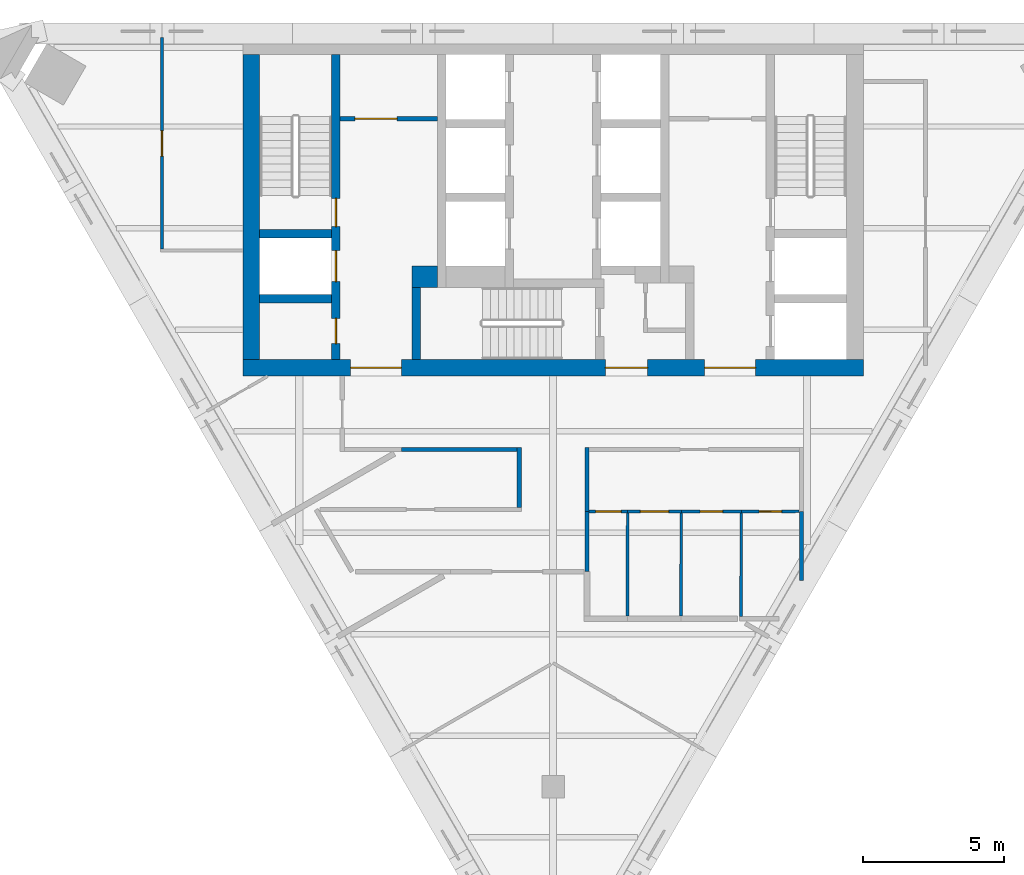
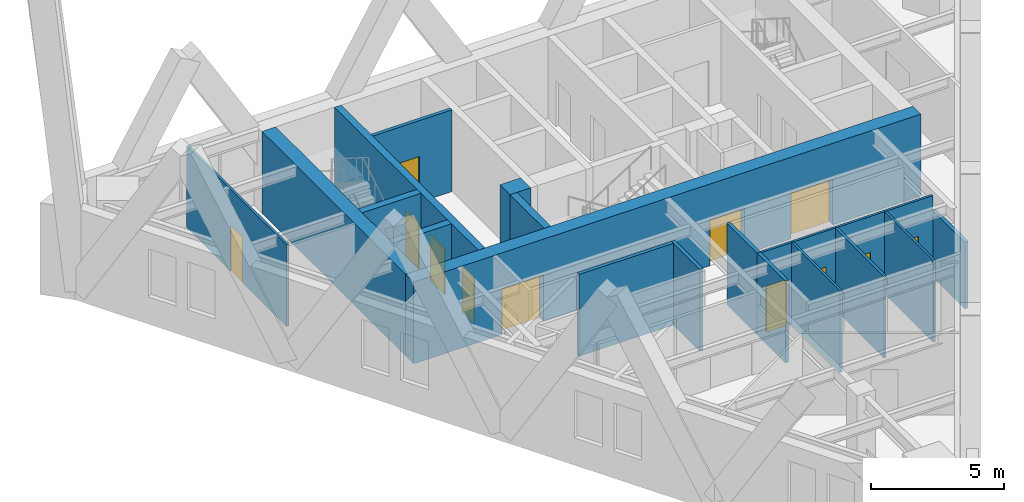
# One storey, part 3 of 6: 21 walls, 12 doors, 12 openings.
"""IFC4 building model written with IfcOpenShell, lengths in metres."""

from ifc_helpers import new_model, si_unit, direction, frame, frame_2d, origin, place, context, subcontext, project, spatial, rectangle, extrude, material, layer, layer_set, type_object, element, fill, save


model = new_model("IFC4")

# Units and contexts
model_context = context("Model", 3, precision=1e-05, world=origin(), true_north=direction((0.0, 1.0)))
body_context = subcontext(model_context, "Body", "Model", "MODEL_VIEW")
ifc_project = project(units=[si_unit("LENGTHUNIT", "METRE"), si_unit("AREAUNIT", "SQUARE_METRE"), si_unit("VOLUMEUNIT", "CUBIC_METRE"), si_unit("PLANEANGLEUNIT", "RADIAN"), si_unit("MASSUNIT", "GRAM", prefix="KILO")], contexts=[model_context])

# Site, building, storey
site_placement = place(None, origin())
site = spatial("IfcSite", under=ifc_project, at=site_placement, CompositionType="ELEMENT")
building_placement = place(site_placement, origin())
building = spatial("IfcBuilding", under=site, at=building_placement, Name="Aloe Facet Convention Tower", CompositionType="ELEMENT")
storey_placement = place(building_placement, frame((0.0, 0.0, 238.699951171875)))
storey = spatial("IfcBuildingStorey", under=building, at=storey_placement, Name="L58", CompositionType="ELEMENT", Elevation=238.699951171875)

# Wall, opening, door
ifc_material_1 = material(Name="Concrete blockwork partition", Category="masonry")
ifc_layer_1 = layer(ifc_material_1, 0.14990234375)
ifc_layer_set_1 = layer_set([ifc_layer_1], Name="CR-W-PART150")
wall_type_1 = type_object("IfcWallType", Name="CR-W-PART150", PredefinedType="PARTITIONING", material=ifc_layer_set_1)
wall_1_placement = place(storey_placement, frame((72.449951171875, 131.675048828125, 0.0), z_axis=(0.0, 0.0, 1.0), x_axis=(1.0, 0.0, 0.0)))
wall_1 = element("IfcWall", 1, at=wall_1_placement, inside=storey, type_object=wall_type_1, Name="Core partition L58-007", PredefinedType="PARTITIONING", context=body_context, shape_type="SweptSolid", body=[
    extrude(rectangle(XDim=3.449951171875, YDim=0.14990234375, at=frame_2d((1.72509765625, 0.0))), origin(), (0.0, 0.0, 1.0), 3.75),
])
opening_1_placement = place(wall_1_placement, frame((0.52490234375, 0.0, 0.0)))
opening_1 = element("IfcOpeningElement", 2, at=opening_1_placement, cuts=wall_1, Name="Opening L58-CD14", PredefinedType="OPENING", context=body_context, shape_type="SweptSolid", body=[
    extrude(rectangle(XDim=1.5, YDim=2.10009765625, at=frame_2d((0.75, 1.050048828125))), frame((0.0, 0.0849609375, 0.0), z_axis=(0.0, -1.0, 0.0), x_axis=(1.0, 0.0, 0.0)), (0.0, 0.0, 1.0), 0.169921875),
])
ifc_material_2 = material(Name="Steel fire-resisting door set FD60", Category="steel")
door_type_1 = type_object("IfcDoorType", Name="CR-D-REFUGE-1500-FD60-DD", OperationType="DOUBLE_DOOR_DOUBLE_SWING", PredefinedType="DOOR", material=ifc_material_2)
door_1_placement = place(opening_1_placement, origin())
door_1 = element("IfcDoor", 3, at=door_1_placement, inside=storey, type_object=door_type_1, Name="Core door L58-CD14", OperationType="DOUBLE_DOOR_DOUBLE_SWING", OverallHeight=2.10009765625, OverallWidth=1.5, PredefinedType="DOOR", context=body_context, shape_type="SweptSolid", body=[
    extrude(rectangle(XDim=1.5, YDim=2.10009765625, at=frame_2d((0.75, 1.050048828125))), frame((0.0, 0.02490234375, 0.0), z_axis=(0.0, -1.0, 0.0), x_axis=(1.0, 0.0, 0.0)), (0.0, 0.0, 1.0), 0.050048828125),
])
fill(opening_1, door_1)

# Walls
ifc_material_3 = material(Name="Concrete C50/60", Category="concrete")
ifc_layer_2 = layer(ifc_material_3, 0.300048828125)
ifc_layer_set_2 = layer_set([ifc_layer_2], Name="CR-W-RC300-C5060")
wall_type_2 = type_object("IfcWallType", Name="CR-W-RC300-C5060", PredefinedType="SOLIDWALL", material=ifc_layer_set_2)
for number, where, z_axis, x_axis, name in (
    (4, (69.60009765625, 127.60009765625, 0.0), (0.0, 0.0, 1.0), (1.0, 0.0, 0.0), "Core wall L58-004"),
    (5, (69.60009765625, 125.300048828125, 0.0), (0.0, 0.0, 1.0), (1.0, 0.0, 0.0), "Core wall L58-005"),
):
    element("IfcWall", number, at=place(storey_placement, frame(where, z_axis=z_axis, x_axis=x_axis)), inside=storey, type_object=wall_type_2, Name=name, PredefinedType="SOLIDWALL", context=body_context, shape_type="SweptSolid", body=[
        extrude(rectangle(XDim=2.5498046875, YDim=0.300048828125, at=frame_2d((1.27490234375, 0.0))), origin(), (0.0, 0.0, 1.0), 3.75),
    ])

# Wall, openings, doors
wall_2_placement = place(storey_placement, frame((72.300048828125, 133.949951171875, 0.0), z_axis=(0.0, 0.0, 1.0), x_axis=(0.0, -1.0, 0.0)))
wall_2 = element("IfcWall", 6, at=wall_2_placement, inside=storey, type_object=wall_type_2, Name="Core wall L58-006", PredefinedType="SOLIDWALL", context=body_context, shape_type="SweptSolid", body=[
    extrude(rectangle(XDim=10.800048828125, YDim=0.300048828125, at=frame_2d((5.39990234375, 0.0))), origin(), (0.0, 0.0, 1.0), 3.75),
])
opening_2_placement = place(wall_2_placement, frame((6.949951171875, 0.0, 0.0)))
opening_2 = element("IfcOpeningElement", 7, at=opening_2_placement, cuts=wall_2, Name="Opening LD-FF1-L58", PredefinedType="OPENING", context=body_context, shape_type="SweptSolid", body=[
    extrude(rectangle(XDim=1.10009765625, YDim=2.10009765625, at=frame_2d((0.550048828125, 1.050048828125))), frame((0.0, 0.16015625, 0.0), z_axis=(0.0, -1.0, 0.0), x_axis=(1.0, 0.0, 0.0)), (0.0, 0.0, 1.0), 0.320068359375),
])
opening_3_placement = place(wall_2_placement, frame((9.35009765625, 0.0, 0.0)))
opening_3 = element("IfcOpeningElement", 8, at=opening_3_placement, cuts=wall_2, Name="Opening L58-CD15", PredefinedType="OPENING", context=body_context, shape_type="SweptSolid", body=[
    extrude(rectangle(XDim=0.89990234375, YDim=2.10009765625, at=frame_2d((0.449951171875, 1.050048828125))), frame((0.0, 0.16015625, 0.0), z_axis=(0.0, -1.0, 0.0), x_axis=(1.0, 0.0, 0.0)), (0.0, 0.0, 1.0), 0.320068359375),
])
opening_4_placement = place(wall_2_placement, frame((5.10009765625, 0.0, 0.0)))
opening_4 = element("IfcOpeningElement", 9, at=opening_4_placement, cuts=wall_2, Name="Opening L58-CD16", PredefinedType="OPENING", context=body_context, shape_type="SweptSolid", body=[
    extrude(rectangle(XDim=1.0, YDim=2.10009765625, at=frame_2d((0.5, 1.050048828125))), frame((0.0, 0.16015625, 0.0), z_axis=(0.0, -1.0, 0.0), x_axis=(1.0, 0.0, 0.0)), (0.0, 0.0, 1.0), 0.320068359375),
])
ifc_material_4 = material(Name="Steel fire-resisting door set FD60", Category="steel")
door_type_2 = type_object("IfcDoorType", Name="CR-D-ROOM-900-FD60-SLEFT", OperationType="SINGLE_SWING_LEFT", PredefinedType="DOOR", material=ifc_material_4)
door_2_placement = place(opening_3_placement, origin())
door_2 = element("IfcDoor", 10, at=door_2_placement, inside=storey, type_object=door_type_2, Name="Core door L58-CD15", OperationType="SINGLE_SWING_LEFT", OverallHeight=2.10009765625, OverallWidth=0.89990234375, PredefinedType="DOOR", context=body_context, shape_type="SweptSolid", body=[
    extrude(rectangle(XDim=0.89990234375, YDim=2.10009765625, at=frame_2d((0.449951171875, 1.050048828125))), frame((0.0, 0.02490234375, 0.0), z_axis=(0.0, -1.0, 0.0), x_axis=(1.0, 0.0, 0.0)), (0.0, 0.0, 1.0), 0.050048828125),
])
fill(opening_3, door_2)
ifc_material_5 = material(Name="Steel fire-resisting door set FD120", Category="steel")
door_type_3 = type_object("IfcDoorType", Name="CR-D-STAIR-1000-FD120-SRIGHT", OperationType="SINGLE_SWING_RIGHT", PredefinedType="DOOR", material=ifc_material_5)
door_3_placement = place(opening_4_placement, origin())
door_3 = element("IfcDoor", 11, at=door_3_placement, inside=storey, type_object=door_type_3, Name="Core door L58-CD16", OperationType="SINGLE_SWING_RIGHT", OverallHeight=2.10009765625, OverallWidth=1.0, PredefinedType="DOOR", context=body_context, shape_type="SweptSolid", body=[
    extrude(rectangle(XDim=1.0, YDim=2.10009765625, at=frame_2d((0.5, 1.050048828125))), frame((0.0, 0.02490234375, 0.0), z_axis=(0.0, -1.0, 0.0), x_axis=(1.0, 0.0, 0.0)), (0.0, 0.0, 1.0), 0.050048828125),
])
fill(opening_4, door_3)
ifc_material_6 = material(Name="Stainless steel sliding landing door", Category="steel")
door_type_4 = type_object("IfcDoorType", Name="CR-LD-1100-FD120-_LEFT", OperationType="SLIDING_TO_LEFT", PredefinedType="DOOR", material=ifc_material_6)
door_4_placement = place(opening_2_placement, origin())
door_4 = element("IfcDoor", 12, at=door_4_placement, inside=storey, type_object=door_type_4, Name="Landing door FF1 L58", OperationType="SLIDING_TO_LEFT", OverallHeight=2.10009765625, OverallWidth=1.10009765625, PredefinedType="DOOR", context=body_context, shape_type="SweptSolid", body=[
    extrude(rectangle(XDim=1.10009765625, YDim=2.10009765625, at=frame_2d((0.550048828125, 1.050048828125))), frame((0.0, 0.02490234375, 0.0), z_axis=(0.0, -1.0, 0.0), x_axis=(1.0, 0.0, 0.0)), (0.0, 0.0, 1.0), 0.050048828125),
])
fill(opening_2, door_4)

# Walls
wall_3_placement = place(storey_placement, frame((75.14990234375, 125.699951171875, 0.0), z_axis=(0.0, 0.0, 1.0), x_axis=(0.0, -1.0, 0.0)))
element("IfcWall", 13, at=wall_3_placement, inside=storey, type_object=wall_type_2, Name="Core wall L58-009", PredefinedType="SOLIDWALL", context=body_context, shape_type="SweptSolid", body=[
    extrude(rectangle(XDim=2.550048828125, YDim=0.300048828125, at=frame_2d((1.27490234375, 0.0))), origin(), (0.0, 0.0, 1.0), 3.75),
])
ifc_material_7 = material(Name="Concrete C50/60", Category="concrete")
ifc_layer_3 = layer(ifc_material_7, 0.60009765625)
ifc_layer_set_3 = layer_set([ifc_layer_3], Name="CR-W-RC600-C5060")
wall_type_3 = type_object("IfcWallType", Name="CR-W-RC600-C5060", PredefinedType="SOLIDWALL", material=ifc_layer_set_3)
wall_4_placement = place(storey_placement, frame((69.300048828125, 133.949951171875, 0.0), z_axis=(0.0, 0.0, 1.0), x_axis=(0.0, -1.0, 0.0)))
element("IfcWall", 14, at=wall_4_placement, inside=storey, type_object=wall_type_3, Name="Core wall L58-002", PredefinedType="SOLIDWALL", context=body_context, shape_type="SweptSolid", body=[
    extrude(rectangle(XDim=10.800048828125, YDim=0.60009765625, at=frame_2d((5.39990234375, 0.0))), origin(), (0.0, 0.0, 1.0), 3.75),
])

# Wall, openings, doors
wall_5_placement = place(storey_placement, frame((69.0, 122.85009765625, 0.0), z_axis=(0.0, 0.0, 1.0), x_axis=(1.0, 0.0, 0.0)))
wall_5 = element("IfcWall", 15, at=wall_5_placement, inside=storey, type_object=wall_type_3, Name="Core wall L58-003", PredefinedType="SOLIDWALL", context=body_context, shape_type="SweptSolid", body=[
    extrude(rectangle(XDim=22.0, YDim=0.60009765625, at=frame_2d((11.0, 0.0))), origin(), (0.0, 0.0, 1.0), 3.75),
])
opening_5_placement = place(wall_5_placement, frame((16.375, 0.0, 0.0)))
opening_5 = element("IfcOpeningElement", 16, at=opening_5_placement, cuts=wall_5, Name="Opening L58-CD09", PredefinedType="OPENING", context=body_context, shape_type="SweptSolid", body=[
    extrude(rectangle(XDim=1.800048828125, YDim=2.10009765625, at=frame_2d((0.89990234375, 1.050048828125))), frame((0.0, 0.31005859375, 0.0), z_axis=(0.0, -1.0, 0.0), x_axis=(1.0, 0.0, 0.0)), (0.0, 0.0, 1.0), 0.6201171875),
])
opening_6_placement = place(wall_5_placement, frame((3.824951171875, 0.0, 0.0)))
opening_6 = element("IfcOpeningElement", 17, at=opening_6_placement, cuts=wall_5, Name="Opening L58-CD10", PredefinedType="OPENING", context=body_context, shape_type="SweptSolid", body=[
    extrude(rectangle(XDim=1.800048828125, YDim=2.10009765625, at=frame_2d((0.89990234375, 1.050048828125))), frame((0.0, 0.31005859375, 0.0), z_axis=(0.0, -1.0, 0.0), x_axis=(1.0, 0.0, 0.0)), (0.0, 0.0, 1.0), 0.6201171875),
])
opening_7_placement = place(wall_5_placement, frame((12.85009765625, 0.0, 0.0)))
opening_7 = element("IfcOpeningElement", 18, at=opening_7_placement, cuts=wall_5, Name="Opening L58-CD11", PredefinedType="OPENING", context=body_context, shape_type="SweptSolid", body=[
    extrude(rectangle(XDim=1.5, YDim=2.10009765625, at=frame_2d((0.75, 1.050048828125))), frame((0.0, 0.31005859375, 0.0), z_axis=(0.0, -1.0, 0.0), x_axis=(1.0, 0.0, 0.0)), (0.0, 0.0, 1.0), 0.6201171875),
])
ifc_material_8 = material(Name="Steel fire-resisting door set FD60", Category="steel")
door_type_5 = type_object("IfcDoorType", Name="CR-D-EXIT-1500-FD60-DD", OperationType="DOUBLE_DOOR_DOUBLE_SWING", PredefinedType="DOOR", material=ifc_material_8)
door_5_placement = place(opening_7_placement, origin())
door_5 = element("IfcDoor", 19, at=door_5_placement, inside=storey, type_object=door_type_5, Name="Core door L58-CD11", OperationType="DOUBLE_DOOR_DOUBLE_SWING", OverallHeight=2.10009765625, OverallWidth=1.5, PredefinedType="DOOR", context=body_context, shape_type="SweptSolid", body=[
    extrude(rectangle(XDim=1.5, YDim=2.10009765625, at=frame_2d((0.75, 1.050048828125))), frame((0.0, 0.02490234375, 0.0), z_axis=(0.0, -1.0, 0.0), x_axis=(1.0, 0.0, 0.0)), (0.0, 0.0, 1.0), 0.050048828125),
])
fill(opening_7, door_5)
ifc_material_9 = material(Name="Steel fire-resisting door set FD120", Category="steel")
door_type_6 = type_object("IfcDoorType", Name="CR-D-EXIT-1800-FD120-DD", OperationType="DOUBLE_DOOR_DOUBLE_SWING", PredefinedType="DOOR", material=ifc_material_9)
door_6_placement = place(opening_5_placement, origin())
door_6 = element("IfcDoor", 20, at=door_6_placement, inside=storey, type_object=door_type_6, Name="Core door L58-CD09", OperationType="DOUBLE_DOOR_DOUBLE_SWING", OverallHeight=2.10009765625, OverallWidth=1.800048828125, PredefinedType="DOOR", context=body_context, shape_type="SweptSolid", body=[
    extrude(rectangle(XDim=1.800048828125, YDim=2.10009765625, at=frame_2d((0.89990234375, 1.050048828125))), frame((0.0, 0.02490234375, 0.0), z_axis=(0.0, -1.0, 0.0), x_axis=(1.0, 0.0, 0.0)), (0.0, 0.0, 1.0), 0.050048828125),
])
fill(opening_5, door_6)
door_7_placement = place(opening_6_placement, origin())
door_7 = element("IfcDoor", 21, at=door_7_placement, inside=storey, type_object=door_type_6, Name="Core door L58-CD10", OperationType="DOUBLE_DOOR_DOUBLE_SWING", OverallHeight=2.10009765625, OverallWidth=1.800048828125, PredefinedType="DOOR", context=body_context, shape_type="SweptSolid", body=[
    extrude(rectangle(XDim=1.800048828125, YDim=2.10009765625, at=frame_2d((0.89990234375, 1.050048828125))), frame((0.0, 0.02490234375, 0.0), z_axis=(0.0, -1.0, 0.0), x_axis=(1.0, 0.0, 0.0)), (0.0, 0.0, 1.0), 0.050048828125),
])
fill(opening_6, door_7)

# Walls
ifc_material_10 = material(Name="Concrete C50/60", Category="concrete")
ifc_layer_4 = layer(ifc_material_10, 0.75)
ifc_layer_set_4 = layer_set([ifc_layer_4], Name="CR-W-RC750-C5060")
wall_type_4 = type_object("IfcWallType", Name="CR-W-RC750-C5060", PredefinedType="SOLIDWALL", material=ifc_layer_set_4)
wall_6_placement = place(storey_placement, frame((75.0, 126.074951171875, 0.0), z_axis=(0.0, 0.0, 1.0), x_axis=(1.0, 0.0, 0.0)))
element("IfcWall", 22, at=wall_6_placement, inside=storey, type_object=wall_type_4, Name="Core wall L58-008", PredefinedType="SOLIDWALL", context=body_context, shape_type="SweptSolid", body=[
    extrude(rectangle(XDim=0.89990234375, YDim=0.75, at=frame_2d((0.449951171875, 0.0))), origin(), (0.0, 0.0, 1.0), 3.75),
])
ifc_material_11 = material(Name="Gypsum board partition on steel studs", Category="steel")
ifc_layer_5 = layer(ifc_material_11, 0.14990234375)
ifc_layer_set_5 = layer_set([ifc_layer_5], Name="IN-W-CORR")
wall_type_5 = type_object("IfcWallType", Name="IN-W-CORR", PredefinedType="PARTITIONING", material=ifc_layer_set_5)
wall_7_placement = place(storey_placement, frame((88.800048828125, 115.313232421875, 0.0), z_axis=(0.0, 0.0, 1.0), x_axis=(0.0, 1.0, 0.0)))
element("IfcWall", 23, at=wall_7_placement, inside=storey, type_object=wall_type_5, Name="Partition L58-W010", PredefinedType="PARTITIONING", context=body_context, shape_type="SweptSolid", body=[
    extrude(rectangle(XDim=2.44677734375, YDim=0.14990234375, at=frame_2d((1.223388671875, 0.0))), origin(), (0.0, 0.0, 1.0), 3.062255859375),
])
wall_8_placement = place(storey_placement, frame((81.199951171875, 115.620361328125, 0.0), z_axis=(0.0, 0.0, 1.0), x_axis=(0.0, 1.0, 0.0)))
element("IfcWall", 24, at=wall_8_placement, inside=storey, type_object=wall_type_5, Name="Partition L58-W024", PredefinedType="PARTITIONING", context=body_context, shape_type="SweptSolid", body=[
    extrude(rectangle(XDim=2.129638671875, YDim=0.14990234375, at=frame_2d((1.06494140625, 0.0))), origin(), (0.0, 0.0, 1.0), 3.75),
])
wall_9_placement = place(storey_placement, frame((78.798095703125, 117.895263671875, 0.0), z_axis=(0.0, 0.0, 1.0), x_axis=(0.000917957158, 0.999999578677, 0.0)))
element("IfcWall", 25, at=wall_9_placement, inside=storey, type_object=wall_type_5, Name="Partition L58-W026", PredefinedType="PARTITIONING", context=body_context, shape_type="SweptSolid", body=[
    extrude(rectangle(XDim=2.127685546875, YDim=0.14990234375, at=frame_2d((1.06396484375, 0.0))), origin(), (0.0, 0.0, 1.0), 3.75),
])
wall_10_placement = place(storey_placement, frame((81.199951171875, 117.75, 0.0), z_axis=(0.0, 0.0, 1.0), x_axis=(0.0, 1.0, 0.0)))
element("IfcWall", 26, at=wall_10_placement, inside=storey, type_object=wall_type_5, Name="Partition L58-W027", PredefinedType="PARTITIONING", context=body_context, shape_type="SweptSolid", body=[
    extrude(rectangle(XDim=2.27294921875, YDim=0.14990234375, at=frame_2d((1.136474609375, 0.0))), origin(), (0.0, 0.0, 1.0), 3.75),
])
wall_11_placement = place(storey_placement, frame((74.61865234375, 119.949951171875, 0.0), z_axis=(0.0, 0.0, 1.0), x_axis=(0.999999886891, -0.000475624203, 0.0)))
element("IfcWall", 27, at=wall_11_placement, inside=storey, type_object=wall_type_5, Name="Partition L58-W030", PredefinedType="PARTITIONING", context=body_context, shape_type="SweptSolid", body=[
    extrude(rectangle(XDim=4.1064453125, YDim=0.14990234375, at=frame_2d((2.05322265625, 0.0))), origin(), (0.0, 0.0, 1.0), 3.75),
])
ifc_material_12 = material(Name="Gypsum board partition on steel studs", Category="steel")
ifc_layer_6 = layer(ifc_material_12, 0.10009765625)
ifc_layer_set_6 = layer_set([ifc_layer_6], Name="IN-W-PART")
wall_type_6 = type_object("IfcWallType", Name="IN-W-PART", PredefinedType="PARTITIONING", material=ifc_layer_set_6)
wall_12_placement = place(storey_placement, frame((82.63427734375, 114.050048828125, 0.0), z_axis=(0.0, 0.0, 1.0), x_axis=(0.002608686776, 0.999996597371, 0.0)))
element("IfcWall", 28, at=wall_12_placement, inside=storey, type_object=wall_type_6, Name="Partition L58-W017", PredefinedType="PARTITIONING", context=body_context, shape_type="SweptSolid", body=[
    extrude(rectangle(XDim=3.64990234375, YDim=0.10009765625, at=frame_2d((1.824951171875, 0.0))), origin(), (0.0, 0.0, 1.0), 3.75),
])

# Wall, opening, door
wall_13_placement = place(storey_placement, frame((81.27490234375, 117.75, 0.0), z_axis=(0.0, 0.0, 1.0), x_axis=(1.0, 0.0, 0.0)))
wall_13 = element("IfcWall", 29, at=wall_13_placement, inside=storey, type_object=wall_type_6, Name="Partition L58-W018", PredefinedType="PARTITIONING", context=body_context, shape_type="SweptSolid", body=[
    extrude(rectangle(XDim=1.369140625, YDim=0.10009765625, at=frame_2d((0.6845703125, 0.0))), origin(), (0.0, 0.0, 1.0), 3.75),
])
opening_8_placement = place(wall_13_placement, frame((0.234619140625, 0.0, 0.0)))
opening_8 = element("IfcOpeningElement", 30, at=opening_8_placement, cuts=wall_13, Name="Opening L58-002", PredefinedType="OPENING", context=body_context, shape_type="SweptSolid", body=[
    extrude(rectangle(XDim=0.89990234375, YDim=2.10009765625, at=frame_2d((0.449951171875, 1.050048828125))), frame((0.0, 0.06005859375, 0.0), z_axis=(0.0, -1.0, 0.0), x_axis=(1.0, 0.0, 0.0)), (0.0, 0.0, 1.0), 0.1201171875),
])
ifc_material_13 = material(Name="Timber door", Category="wood")
door_type_7 = type_object("IfcDoorType", Name="IN-OFF-D-ROOM", OperationType="SINGLE_SWING_LEFT", PredefinedType="DOOR", material=ifc_material_13)
door_8_placement = place(opening_8_placement, origin())
door_8 = element("IfcDoor", 31, at=door_8_placement, inside=storey, type_object=door_type_7, Name="Door L58-002", OperationType="SINGLE_SWING_LEFT", OverallHeight=2.10009765625, OverallWidth=0.89990234375, PredefinedType="DOOR", context=body_context, shape_type="SweptSolid", body=[
    extrude(rectangle(XDim=0.89990234375, YDim=2.10009765625, at=frame_2d((0.449951171875, 1.050048828125))), frame((0.0, 0.02490234375, 0.0), z_axis=(0.0, -1.0, 0.0), x_axis=(1.0, 0.0, 0.0)), (0.0, 0.0, 1.0), 0.050048828125),
])
fill(opening_8, door_8)

# Wall
wall_14_placement = place(storey_placement, frame((84.5341796875, 114.050048828125, 0.0), z_axis=(0.0, 0.0, 1.0), x_axis=(0.002675575707, 0.999996420641, 0.0)))
element("IfcWall", 32, at=wall_14_placement, inside=storey, type_object=wall_type_6, Name="Partition L58-W019", PredefinedType="PARTITIONING", context=body_context, shape_type="SweptSolid", body=[
    extrude(rectangle(XDim=3.64990234375, YDim=0.10009765625, at=frame_2d((1.824951171875, 0.0))), origin(), (0.0, 0.0, 1.0), 3.75),
])

# Wall, opening, door
wall_15_placement = place(storey_placement, frame((82.64404296875, 117.75, 0.0), z_axis=(0.0, 0.0, 1.0), x_axis=(1.0, 0.0, 0.0)))
wall_15 = element("IfcWall", 33, at=wall_15_placement, inside=storey, type_object=wall_type_6, Name="Partition L58-W020", PredefinedType="PARTITIONING", context=body_context, shape_type="SweptSolid", body=[
    extrude(rectangle(XDim=1.89990234375, YDim=0.10009765625, at=frame_2d((0.949951171875, 0.0))), origin(), (0.0, 0.0, 1.0), 3.75),
])
opening_9_placement = place(wall_15_placement, frame((0.449951171875, 0.0, 0.0)))
opening_9 = element("IfcOpeningElement", 34, at=opening_9_placement, cuts=wall_15, Name="Opening L58-003", PredefinedType="OPENING", context=body_context, shape_type="SweptSolid", body=[
    extrude(rectangle(XDim=1.0, YDim=2.10009765625, at=frame_2d((0.5, 1.050048828125))), frame((0.0, 0.06005859375, 0.0), z_axis=(0.0, -1.0, 0.0), x_axis=(1.0, 0.0, 0.0)), (0.0, 0.0, 1.0), 0.1201171875),
])
ifc_material_14 = material(Name="Timber door", Category="wood")
door_type_8 = type_object("IfcDoorType", Name="IN-OFF-D-WIDE", OperationType="SINGLE_SWING_LEFT", PredefinedType="DOOR", material=ifc_material_14)
door_9_placement = place(opening_9_placement, origin())
door_9 = element("IfcDoor", 35, at=door_9_placement, inside=storey, type_object=door_type_8, Name="Door L58-003", OperationType="SINGLE_SWING_LEFT", OverallHeight=2.10009765625, OverallWidth=1.0, PredefinedType="DOOR", context=body_context, shape_type="SweptSolid", body=[
    extrude(rectangle(XDim=1.0, YDim=2.10009765625, at=frame_2d((0.5, 1.050048828125))), frame((0.0, 0.02490234375, 0.0), z_axis=(0.0, -1.0, 0.0), x_axis=(1.0, 0.0, 0.0)), (0.0, 0.0, 1.0), 0.050048828125),
])
fill(opening_9, door_9)

# Wall
wall_16_placement = place(storey_placement, frame((86.662109375, 114.02490234375, 0.0), z_axis=(0.0, 0.0, 1.0), x_axis=(0.002657268237, 0.999996469457, 0.0)))
element("IfcWall", 36, at=wall_16_placement, inside=storey, type_object=wall_type_6, Name="Partition L58-W021", PredefinedType="PARTITIONING", context=body_context, shape_type="SweptSolid", body=[
    extrude(rectangle(XDim=3.675048828125, YDim=0.10009765625, at=frame_2d((1.83740234375, 0.0))), origin(), (0.0, 0.0, 1.0), 3.75),
])

# Wall, opening, door
wall_17_placement = place(storey_placement, frame((84.5439453125, 117.75, 0.0), z_axis=(0.0, 0.0, 1.0), x_axis=(1.0, 0.0, 0.0)))
wall_17 = element("IfcWall", 37, at=wall_17_placement, inside=storey, type_object=wall_type_6, Name="Partition L58-W022", PredefinedType="PARTITIONING", context=body_context, shape_type="SweptSolid", body=[
    extrude(rectangle(XDim=2.128173828125, YDim=0.10009765625, at=frame_2d((1.06396484375, 0.0))), origin(), (0.0, 0.0, 1.0), 3.75),
])
opening_10_placement = place(wall_17_placement, frame((0.6640625, 0.0, 0.0)))
opening_10 = element("IfcOpeningElement", 38, at=opening_10_placement, cuts=wall_17, Name="Opening L58-004", PredefinedType="OPENING", context=body_context, shape_type="SweptSolid", body=[
    extrude(rectangle(XDim=0.800048828125, YDim=2.10009765625, at=frame_2d((0.39990234375, 1.050048828125))), frame((0.0, 0.06005859375, 0.0), z_axis=(0.0, -1.0, 0.0), x_axis=(1.0, 0.0, 0.0)), (0.0, 0.0, 1.0), 0.1201171875),
])
ifc_material_15 = material(Name="Timber door", Category="wood")
door_type_9 = type_object("IfcDoorType", Name="IN-OFF-D-WC", OperationType="SINGLE_SWING_LEFT", PredefinedType="DOOR", material=ifc_material_15)
door_10_placement = place(opening_10_placement, origin())
door_10 = element("IfcDoor", 39, at=door_10_placement, inside=storey, type_object=door_type_9, Name="Door L58-004", OperationType="SINGLE_SWING_LEFT", OverallHeight=2.10009765625, OverallWidth=0.800048828125, PredefinedType="DOOR", context=body_context, shape_type="SweptSolid", body=[
    extrude(rectangle(XDim=0.800048828125, YDim=2.10009765625, at=frame_2d((0.39990234375, 1.050048828125))), frame((0.0, 0.02490234375, 0.0), z_axis=(0.0, -1.0, 0.0), x_axis=(1.0, 0.0, 0.0)), (0.0, 0.0, 1.0), 0.050048828125),
])
fill(opening_10, door_10)

wall_18_placement = place(storey_placement, frame((86.672119140625, 117.75, 0.0), z_axis=(0.0, 0.0, 1.0), x_axis=(0.99998868658, 0.004756754366, 0.0)))
wall_18 = element("IfcWall", 40, at=wall_18_placement, inside=storey, type_object=wall_type_6, Name="Partition L58-W023", PredefinedType="PARTITIONING", context=body_context, shape_type="SweptSolid", body=[
    extrude(rectangle(XDim=2.052978515625, YDim=0.10009765625, at=frame_2d((1.0263671875, 0.0))), origin(), (0.0, 0.0, 1.0), 3.75),
])
opening_11_placement = place(wall_18_placement, frame((0.62646484375, 0.0, 0.0)))
opening_11 = element("IfcOpeningElement", 41, at=opening_11_placement, cuts=wall_18, Name="Opening L58-005", PredefinedType="OPENING", context=body_context, shape_type="SweptSolid", body=[
    extrude(rectangle(XDim=0.800048828125, YDim=2.10009765625, at=frame_2d((0.39990234375, 1.050048828125))), frame((0.0, 0.06005859375, 0.0), z_axis=(0.0, -1.0, 0.0), x_axis=(1.0, 0.0, 0.0)), (0.0, 0.0, 1.0), 0.1201171875),
])
door_11_placement = place(opening_11_placement, origin())
door_11 = element("IfcDoor", 42, at=door_11_placement, inside=storey, type_object=door_type_9, Name="Door L58-005", OperationType="SINGLE_SWING_LEFT", OverallHeight=2.10009765625, OverallWidth=0.800048828125, PredefinedType="DOOR", context=body_context, shape_type="SweptSolid", body=[
    extrude(rectangle(XDim=0.800048828125, YDim=2.10009765625, at=frame_2d((0.39990234375, 1.050048828125))), frame((0.0, 0.02490234375, 0.0), z_axis=(0.0, -1.0, 0.0), x_axis=(1.0, 0.0, 0.0)), (0.0, 0.0, 1.0), 0.050048828125),
])
fill(opening_11, door_11)

wall_19_placement = place(storey_placement, frame((66.137451171875, 127.050048828125, 0.0), z_axis=(0.0, 0.0, 1.0), x_axis=(-0.000260425135, 0.999999966089, 0.0)))
wall_19 = element("IfcWall", 43, at=wall_19_placement, inside=storey, type_object=wall_type_6, Name="Partition L58-W036", PredefinedType="PARTITIONING", context=body_context, shape_type="SweptSolid", body=[
    extrude(rectangle(XDim=7.499755859375, YDim=0.10009765625, at=frame_2d((3.75, 0.0))), origin(), (0.0, 0.0, 1.0), 3.75),
])
opening_12_placement = place(wall_19_placement, frame((3.300048828125, 0.0, 0.0)))
opening_12 = element("IfcOpeningElement", 44, at=opening_12_placement, cuts=wall_19, Name="Opening L58-006", PredefinedType="OPENING", context=body_context, shape_type="SweptSolid", body=[
    extrude(rectangle(XDim=0.89990234375, YDim=2.10009765625, at=frame_2d((0.449951171875, 1.050048828125))), frame((0.0, 0.06005859375, 0.0), z_axis=(0.0, -1.0, 0.0), x_axis=(1.0, 0.0, 0.0)), (0.0, 0.0, 1.0), 0.1201171875),
])
door_12_placement = place(opening_12_placement, origin())
door_12 = element("IfcDoor", 45, at=door_12_placement, inside=storey, type_object=door_type_7, Name="Door L58-006", OperationType="SINGLE_SWING_LEFT", OverallHeight=2.10009765625, OverallWidth=0.89990234375, PredefinedType="DOOR", context=body_context, shape_type="SweptSolid", body=[
    extrude(rectangle(XDim=0.89990234375, YDim=2.10009765625, at=frame_2d((0.449951171875, 1.050048828125))), frame((0.0, 0.02490234375, 0.0), z_axis=(0.0, -1.0, 0.0), x_axis=(1.0, 0.0, 0.0)), (0.0, 0.0, 1.0), 0.050048828125),
])
fill(opening_12, door_12)

save(model, "model.ifc")
